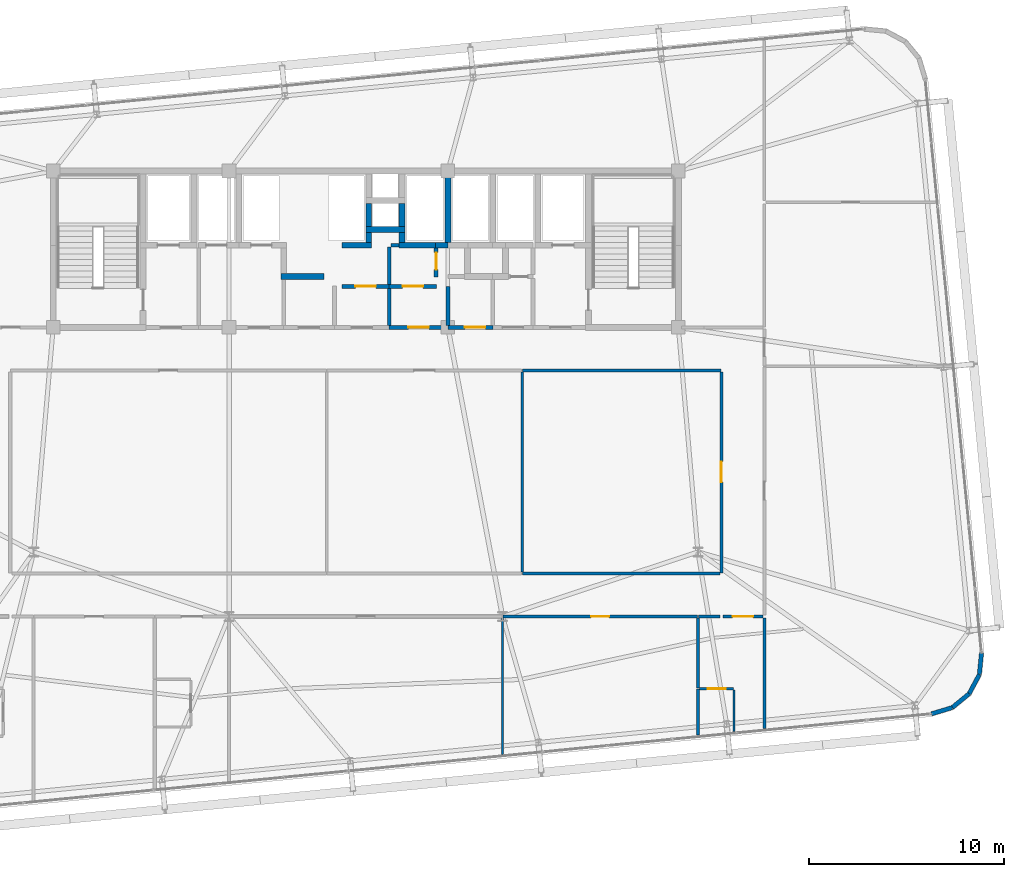
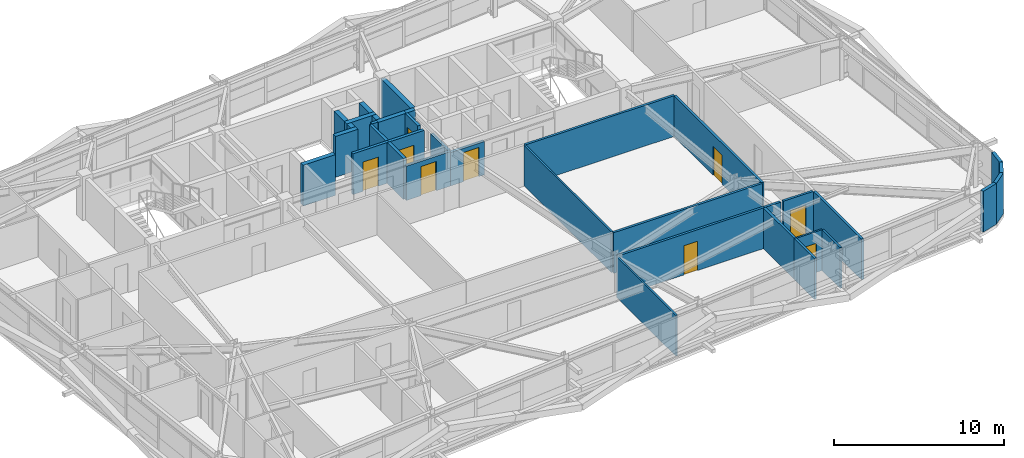
# One storey, part 48 of 53: 36 walls, 9 doors, 9 openings.
"""IFC4 building model written with IfcOpenShell, lengths in metres."""

import ifcopenshell
import ifcopenshell.guid

model = None  # the IFC model being written
_history = None  # IfcOwnerHistory: only IFC2X3 demands one
_inside = {}  # id of a spatial element -> (the spatial element, [elements in it])
_under = {}  # id of a project, library or spatial element -> (it, [spatial elements below it])
_declared = {}  # id of a project -> (the project, [libraries it declares])
_typed = {}  # id of a type object -> (the type object, [elements of that type])
_made_of = {}  # id of a material, layer set ... -> (it, [elements and type objects made of it])


def new_model(schema):
    """Start an empty IFC model of exactly this schema.

    Asked for "IFC4X3", IfcOpenShell would pick the latest addendum, in which some entities
    have other attributes; the version numbers below select the first issue.
    IFC2X3 requires an IfcOwnerHistory on every rooted entity: one is made here for all.
    """
    global model, _history
    if schema == "IFC4X3":
        model = ifcopenshell.file(schema_version=(4, 3, 0, 0))
    else:
        model = ifcopenshell.file(schema=schema)
    _inside.clear()
    _under.clear()
    _declared.clear()
    _typed.clear()
    _made_of.clear()
    _history = None
    if model.schema == "IFC2X3":
        org = make("IfcOrganization", Name="unknown")
        user = make(
            "IfcPersonAndOrganization",
            ThePerson=make("IfcPerson", FamilyName="unknown"),
            TheOrganization=org,
        )
        app = make(
            "IfcApplication",
            ApplicationDeveloper=org,
            Version="unknown",
            ApplicationFullName="unknown",
            ApplicationIdentifier="unknown",
        )
        _history = make(
            "IfcOwnerHistory",
            OwningUser=user,
            OwningApplication=app,
            ChangeAction="ADDED",
            CreationDate=0,
        )
    return model


def make(cls, **values):
    """One entity of the class cls with the attributes given. An attribute that is None is left unset."""
    return model.create_entity(
        cls, **{name: value for name, value in values.items() if value is not None}
    )


def rooted(cls, **values):
    """An entity with a GlobalId (a new one), such as an element, a storey or a relation."""
    return make(cls, GlobalId=ifcopenshell.guid.new(), OwnerHistory=_history, **values)


def si_unit(unit_type, name, prefix=None):
    """IfcSIUnit, for example si_unit("LENGTHUNIT", "METRE", prefix="MILLI")."""
    return make("IfcSIUnit", UnitType=unit_type, Prefix=prefix, Name=name)


def assignment(units):
    """IfcUnitAssignment: the units of a project."""
    return None if units is None else make("IfcUnitAssignment", Units=units)


def point(xyz):
    """IfcCartesianPoint."""
    return None if xyz is None else make("IfcCartesianPoint", Coordinates=xyz)


def direction(xyz):
    """IfcDirection."""
    return None if xyz is None else make("IfcDirection", DirectionRatios=xyz)


def frame(location, z_axis=None, x_axis=None):
    """IfcAxis2Placement3D, a coordinate frame: its origin and axes. An axis left out is left unset."""
    return make(
        "IfcAxis2Placement3D",
        Location=point(location),
        Axis=direction(z_axis),
        RefDirection=direction(x_axis),
    )


def frame_2d(location, x_axis=None):
    """IfcAxis2Placement2D, a coordinate frame in the plane: its origin and x axis."""
    return make(
        "IfcAxis2Placement2D", Location=point(location), RefDirection=direction(x_axis)
    )


def origin():
    """The frame at (0, 0, 0) with its axes left unset."""
    return frame((0.0, 0.0, 0.0))


def place(relative_to, where):
    """IfcLocalPlacement: puts the frame where relative to a parent placement (None: the world)."""
    return make(
        "IfcLocalPlacement", PlacementRelTo=relative_to, RelativePlacement=where
    )


def context(
    kind, dimensions, precision=None, world=None, true_north=None, identifier=None
):
    """IfcGeometricRepresentationContext, for example the 3D "Model" context."""
    return make(
        "IfcGeometricRepresentationContext",
        ContextIdentifier=identifier,
        ContextType=kind,
        CoordinateSpaceDimension=dimensions,
        Precision=precision,
        WorldCoordinateSystem=world,
        TrueNorth=true_north,
    )


def subcontext(parent, identifier, kind, view, scale=None):
    """IfcGeometricRepresentationSubContext, for example "Body" below "Model"."""
    return make(
        "IfcGeometricRepresentationSubContext",
        ContextIdentifier=identifier,
        ContextType=kind,
        ParentContext=parent,
        TargetScale=scale,
        TargetView=view,
    )


def project(units=None, contexts=None):
    """IfcProject with its units and contexts."""
    return rooted(
        "IfcProject",
        Name="project",
        RepresentationContexts=contexts,
        UnitsInContext=assignment(units),
    )


def spatial(cls, under=None, at=None, **own):
    """A site, building, storey or space (cls), placed at a placement, below another one or the project."""
    s = rooted(cls, ObjectPlacement=at, **own)
    if under is not None:
        _under.setdefault(under.id(), (under, []))[1].append(s)
    return s


def profile(cls, at=None, kind="AREA", **sizes):
    """A parametric profile (cls). Its sizes go by their IFC names, for example OverallWidth=200.0."""
    return make(cls, ProfileType=kind, Position=at, **sizes)


def rectangle(**sizes):
    """IfcRectangleProfileDef."""
    return profile("IfcRectangleProfileDef", **sizes)


def extrude(swept, where, along, depth):
    """IfcExtrudedAreaSolid: the profile swept, set in the frame where, extruded along a direction by depth."""
    return make(
        "IfcExtrudedAreaSolid",
        SweptArea=swept,
        Position=where,
        ExtrudedDirection=direction(along),
        Depth=depth,
    )


def shape(context_of_items, identifier, shape_type, items):
    """IfcShapeRepresentation: the items that make up one representation, for example the "Body"."""
    return make(
        "IfcShapeRepresentation",
        ContextOfItems=context_of_items,
        RepresentationIdentifier=identifier,
        RepresentationType=shape_type,
        Items=items,
    )


def source(mapping_origin, context_of_items, identifier, shape_type, items):
    """IfcRepresentationMap: a shape defined once, which mapped items show again and again."""
    return make(
        "IfcRepresentationMap",
        MappingOrigin=mapping_origin,
        MappedRepresentation=shape(context_of_items, identifier, shape_type, items),
    )


def transform(
    local_origin,
    x_axis=None,
    y_axis=None,
    z_axis=None,
    scale=None,
    scale2=None,
    scale3=None,
    uniform=True,
):
    """IfcCartesianTransformationOperator3D, or its non-uniform kind. x_axis, y_axis, z_axis: its Axis1, 2, 3."""
    if uniform:
        return make(
            "IfcCartesianTransformationOperator3D",
            Axis1=direction(x_axis),
            Axis2=direction(y_axis),
            LocalOrigin=point(local_origin),
            Scale=scale,
            Axis3=direction(z_axis),
        )
    return make(
        "IfcCartesianTransformationOperator3DnonUniform",
        Axis1=direction(x_axis),
        Axis2=direction(y_axis),
        LocalOrigin=point(local_origin),
        Scale=scale,
        Axis3=direction(z_axis),
        Scale2=scale2,
        Scale3=scale3,
    )


def mapped(mapping_source, mapping_target):
    """IfcMappedItem: shows the shape of a source again, moved by a transform."""
    return make(
        "IfcMappedItem", MappingSource=mapping_source, MappingTarget=mapping_target
    )


def material(Name=None, Category=None):
    """IfcMaterial."""
    return make("IfcMaterial", Name=Name, Category=Category)


def layer(
    of_material, thickness, ventilated=None, Name=None, Category=None, Priority=None
):
    """IfcMaterialLayer: one layer of a wall or slab, of a material (None: an air gap)."""
    return make(
        "IfcMaterialLayer",
        Material=of_material,
        LayerThickness=thickness,
        IsVentilated=ventilated,
        Name=Name,
        Category=Category,
        Priority=Priority,
    )


def layer_set(layers, Name=None):
    """IfcMaterialLayerSet."""
    return make("IfcMaterialLayerSet", MaterialLayers=layers, LayerSetName=Name)


def made_of(thing, what):
    """Note that an element or type object is made of a material, layer set ...; save() writes the relation."""
    if what is not None:
        _made_of.setdefault(what.id(), (what, []))[1].append(thing)
    return thing


def type_object(cls, material=None, **own):
    """A type object (cls), such as IfcWallType, which elements share."""
    return made_of(rooted(cls, **own), material)


def element(
    cls,
    number,
    at=None,
    inside=None,
    cuts=None,
    type_object=None,
    material=None,
    context=None,
    identifier="Body",
    shape_type=None,
    held_by="IfcProductDefinitionShape",
    body=None,
    shapes=None,
    **own,
):
    """One element of the class cls, such as IfcWall. Its Tag is "e" and its number.

    at: its placement. inside: the storey or other place that contains it. cuts: it is an
    opening in that element (IfcRelVoidsElement). A single representation is given by context,
    identifier, shape_type and body (its items); several are given by shapes. held_by: the class
    of the entity that holds the representations. save() writes the other relations.
    """
    e = rooted(cls, Tag="e%d" % number, ObjectPlacement=at, **own)
    if body is not None:
        shapes = [shape(context, identifier, shape_type, body)]
    if shapes is not None:
        e.Representation = make(held_by, Representations=shapes)
    if inside is not None:
        _inside.setdefault(inside.id(), (inside, []))[1].append(e)
    if cuts is not None:
        rooted(
            "IfcRelVoidsElement", RelatingBuildingElement=cuts, RelatedOpeningElement=e
        )
    if type_object is not None:
        _typed.setdefault(type_object.id(), (type_object, []))[1].append(e)
    return made_of(e, material)


def fill(opening, filler):
    """IfcRelFillsElement: the door or window that sits in an opening."""
    return rooted(
        "IfcRelFillsElement",
        RelatingOpeningElement=opening,
        RelatedBuildingElement=filler,
    )


def aggregate(whole, parts):
    """IfcRelAggregates: a whole, such as a stair, and the parts it consists of."""
    return rooted("IfcRelAggregates", RelatingObject=whole, RelatedObjects=parts)


def save(model, path):
    """Write the relations noted so far, then the file.

    IfcRelAggregates (storeys below a building ...), IfcRelContainedInSpatialStructure (elements
    in a storey), IfcRelDefinesByType, IfcRelAssociatesMaterial and IfcRelDeclares: one each for
    every whole, place, type object, material and project.
    """
    for whole, parts in _under.values():
        aggregate(whole, parts)
    for where, things in _inside.values():
        rooted(
            "IfcRelContainedInSpatialStructure",
            RelatedElements=things,
            RelatingStructure=where,
        )
    for kind, things in _typed.values():
        rooted("IfcRelDefinesByType", RelatedObjects=things, RelatingType=kind)
    for what, things in _made_of.values():
        rooted("IfcRelAssociatesMaterial", RelatedObjects=things, RelatingMaterial=what)
    for by, libraries in _declared.values():
        rooted("IfcRelDeclares", RelatingContext=by, RelatedDefinitions=libraries)
    model.write(path)


model = new_model("IFC4")

# Units and contexts
model_context = context("Model", 3, precision=1e-05, world=origin(), true_north=direction((0.0, 1.0)))
body_context = subcontext(model_context, "Body", "Model", "MODEL_VIEW")
ifc_project = project(units=[si_unit("LENGTHUNIT", "METRE"), si_unit("AREAUNIT", "SQUARE_METRE"), si_unit("VOLUMEUNIT", "CUBIC_METRE"), si_unit("PLANEANGLEUNIT", "RADIAN"), si_unit("MASSUNIT", "GRAM", prefix="KILO")], contexts=[model_context])

# Site, building, storey
site_placement = place(None, origin())
site = spatial("IfcSite", under=ifc_project, at=site_placement, CompositionType="ELEMENT")
building_placement = place(site_placement, origin())
building = spatial("IfcBuilding", under=site, at=building_placement, Name="Taldren Reach Tower", CompositionType="ELEMENT")
storey_placement = place(building_placement, frame((0.0, 0.0, 80.85009765625)))
storey = spatial("IfcBuildingStorey", under=building, at=storey_placement, Name="L24", CompositionType="ELEMENT", Elevation=80.85009765625)

# Walls
ifc_material_1 = material(Name="Pale Champagne Anodised Aluminium Cladding", Category="aluminium")
ifc_layer_1 = layer(ifc_material_1, 0.04, Name="Pale Champagne Anodised Aluminium Cladding", Category="aluminium")
ifc_material_2 = material(Name="Mineral Wool Acoustic Insulation", Category="insulation")
ifc_layer_2 = layer(ifc_material_2, 0.06, Name="Mineral Wool Acoustic Insulation", Category="insulation")
ifc_material_3 = material(Name="Steel Gr 350 (C350L0)", Category="steel")
ifc_layer_3 = layer(ifc_material_3, 0.12, Name="Steel Gr 350 (C350L0)", Category="steel")
ifc_layer_set_1 = layer_set([ifc_layer_1, ifc_layer_2, ifc_layer_3], Name="Pale Champagne Aluminium Cladding and Steel Gr 350 Stud Framing")
wall_type_1 = type_object("IfcWallType", Name="EW-CRN-220", PredefinedType="SOLIDWALL", material=ifc_layer_set_1)
shared_shape_1 = source(origin(), body_context, "Body", "SweptSolid", [
    extrude(rectangle(XDim=1.115966796875, YDim=0.219970703125, at=frame_2d((0.55810546875, 0.0))), origin(), (0.0, 0.0, 1.0), 2.929931640625),
])
for number, where, z_axis, x_axis, name in (
    (1, (65.01708984375, 4.537109375, 0.0), (0.0, 0.0, 1.0), (0.773342870285, 0.633988016432, 0.0), "Rounded-corner pale-metal facade wall L24-SE2"),
    (2, (66.406494140625, 6.228515625, 0.0), (0.0, 0.0, 1.0), (0.09844234778, 0.995142755671, 0.0), "Rounded-corner pale-metal facade wall L24-SE4"),
):
    element("IfcWall", number, at=place(storey_placement, frame(where, z_axis=z_axis, x_axis=x_axis)), inside=storey, type_object=wall_type_1, Name=name, PredefinedType="SOLIDWALL", context=body_context, shape_type="MappedRepresentation", body=[
        mapped(shared_shape_1, transform((0.0, 0.0, 0.0), scale=1.0)),
    ])
shared_shape_2 = source(origin(), body_context, "Body", "SweptSolid", [
    extrude(rectangle(XDim=1.11572265625, YDim=0.219970703125, at=frame_2d((0.557861328125, 0.0))), origin(), (0.0, 0.0, 1.0), 2.929931640625),
])
for number, where, z_axis, x_axis, name in (
    (3, (63.94921875, 4.213623046875, 0.0), (0.0, 0.0, 1.0), (0.957052003726, 0.289916301997, 0.0), "Rounded-corner pale-metal facade wall L24-SE1"),
    (4, (65.880126953125, 5.24462890625, 0.0), (0.0, 0.0, 1.0), (0.471723463201, 0.881746547635, 0.0), "Rounded-corner pale-metal facade wall L24-SE3"),
):
    element("IfcWall", number, at=place(storey_placement, frame(where, z_axis=z_axis, x_axis=x_axis)), inside=storey, type_object=wall_type_1, Name=name, PredefinedType="SOLIDWALL", context=body_context, shape_type="MappedRepresentation", body=[
        mapped(shared_shape_2, transform((0.0, 0.0, 0.0), scale=1.0)),
    ])
ifc_material_4 = material(Name="Concrete S50 (50 MPa)", Category="concrete")
ifc_layer_4 = layer(ifc_material_4, 0.199951171875)
ifc_layer_set_2 = layer_set([ifc_layer_4], Name="Concrete S50 (50 MPa)")
wall_type_2 = type_object("IfcWallType", Name="IW-CORE-200", PredefinedType="SOLIDWALL", material=ifc_layer_set_2)
shared_shape_3 = source(origin(), body_context, "Body", "SweptSolid", [
    extrude(rectangle(XDim=2.0, YDim=0.199951171875, at=frame_2d((1.0, 0.0))), origin(), (0.0, 0.0, 1.0), 2.469970703125),
])
wall_1_placement = place(storey_placement, frame((39.199951171875, 26.10009765625, 0.0), z_axis=(0.0, 0.0, 1.0), x_axis=(0.0, -1.0, 0.0)))
element("IfcWall", 5, at=wall_1_placement, inside=storey, type_object=wall_type_2, Name="Rear Core Shear Wall W-INT-L24-052", PredefinedType="SOLIDWALL", context=body_context, shape_type="MappedRepresentation", body=[
    mapped(shared_shape_3, transform((0.0, 0.0, 0.0), scale=1.0)),
])

# Wall, opening, door
ifc_material_5 = material(Name="Fire-Rated Acoustic Plasterboard Stud Wall", Category="gypsum")
ifc_layer_5 = layer(ifc_material_5, 0.159912109375)
ifc_layer_set_3 = layer_set([ifc_layer_5], Name="Fire-Rated Acoustic Plasterboard Stud Wall")
wall_type_3 = type_object("IfcWallType", Name="IW-FIRE-160", PredefinedType="PARTITIONING", material=ifc_layer_set_3)
shared_shape_4 = source(origin(), body_context, "Body", "SweptSolid", [
    extrude(rectangle(XDim=10.2998046875, YDim=0.159912109375, at=frame_2d((5.14990234375, 0.0))), origin(), (0.0, 0.0, 1.0), 2.929931640625),
])
wall_2_placement = place(storey_placement, frame((53.199951171875, 11.420166015625, 0.0), z_axis=(0.0, 0.0, 1.0), x_axis=(0.0, 1.0, 0.0)))
wall_2 = element("IfcWall", 6, at=wall_2_placement, inside=storey, type_object=wall_type_3, Name="Interior Partition Wall W-INT-L24-063", PredefinedType="PARTITIONING", context=body_context, shape_type="MappedRepresentation", body=[
    mapped(shared_shape_4, transform((0.0, 0.0, 0.0), scale=1.0)),
])
shared_shape_5 = source(origin(), body_context, "Body", "SweptSolid", [
    extrude(rectangle(XDim=1.050048828125, YDim=2.10009765625, at=frame_2d((0.52490234375, 1.050048828125))), frame((0.0, 0.08984375, 0.0), z_axis=(0.0, -1.0, 0.0), x_axis=(1.0, 0.0, 0.0)), (0.0, 0.0, 1.0), 0.179931640625),
])
opening_1_placement = place(wall_2_placement, frame((4.65478515625, 0.0, 0.0)))
opening_1 = element("IfcOpeningElement", 7, at=opening_1_placement, cuts=wall_2, Name="Opening DF-105", PredefinedType="OPENING", context=body_context, shape_type="MappedRepresentation", body=[
    mapped(shared_shape_5, transform((0.0, 0.0, 0.0), scale=1.0)),
])
ifc_material_6 = material(Name="Fire-Rated Care and Stair Exit Door")
door_type_1 = type_object("IfcDoorType", Name="ID-FIRE-105", OperationType="NOTDEFINED", PredefinedType="DOOR", material=ifc_material_6)
shared_shape_6 = source(origin(), body_context, "Body", "SweptSolid", [
    extrude(rectangle(XDim=1.050048828125, YDim=2.10009765625, at=frame_2d((0.52490234375, 1.050048828125))), frame((0.0, 0.02490234375, 0.0), z_axis=(0.0, -1.0, 0.0), x_axis=(1.0, 0.0, 0.0)), (0.0, 0.0, 1.0), 0.050048828125),
])
door_1_placement = place(opening_1_placement, origin())
door_1 = element("IfcDoor", 8, at=door_1_placement, inside=storey, type_object=door_type_1, Name="Interior Door DR-L24-016", OperationType="SINGLE_SWING_LEFT", OverallHeight=2.10009765625, OverallWidth=1.050048828125, PredefinedType="DOOR", context=body_context, shape_type="MappedRepresentation", body=[
    mapped(shared_shape_6, transform((0.0, 0.0, 0.0), scale=1.0)),
])
fill(opening_1, door_1)

shared_shape_7 = source(origin(), body_context, "Body", "SweptSolid", [
    extrude(rectangle(XDim=2.0400390625, YDim=0.159912109375, at=frame_2d((1.02001953125, 0.0))), origin(), (0.0, 0.0, 1.0), 2.929931640625),
])
wall_3_placement = place(storey_placement, frame((55.320068359375, 9.199951171875, 0.0), z_axis=(0.0, 0.0, 1.0), x_axis=(-1.0, 0.0, 0.0)))
wall_3 = element("IfcWall", 9, at=wall_3_placement, inside=storey, type_object=wall_type_3, Name="Interior Partition Wall W-INT-L24-066", PredefinedType="PARTITIONING", context=body_context, shape_type="MappedRepresentation", body=[
    mapped(shared_shape_7, transform((0.0, 0.0, 0.0), scale=1.0)),
])
opening_2_placement = place(wall_3_placement, frame((0.4951171875, 0.0, 0.0)))
opening_2 = element("IfcOpeningElement", 10, at=opening_2_placement, cuts=wall_3, Name="Opening DF-105", PredefinedType="OPENING", context=body_context, shape_type="MappedRepresentation", body=[
    mapped(shared_shape_5, transform((0.0, 0.0, 0.0), scale=1.0)),
])
door_2_placement = place(opening_2_placement, origin())
door_2 = element("IfcDoor", 11, at=door_2_placement, inside=storey, type_object=door_type_1, Name="Interior Door DR-L24-018", OperationType="SINGLE_SWING_LEFT", OverallHeight=2.10009765625, OverallWidth=1.050048828125, PredefinedType="DOOR", context=body_context, shape_type="MappedRepresentation", body=[
    mapped(shared_shape_6, transform((0.0, 0.0, 0.0), scale=1.0)),
])
fill(opening_2, door_2)

# Wall
shared_shape_8 = source(origin(), body_context, "Body", "SweptSolid", [
    extrude(rectangle(XDim=1.099853515625, YDim=0.159912109375, at=frame_2d((0.5498046875, 0.0))), origin(), (0.0, 0.0, 1.0), 2.929931640625),
])
wall_4_placement = place(storey_placement, frame((53.1201171875, 9.199951171875, 0.0), z_axis=(0.0, 0.0, 1.0), x_axis=(-1.0, 0.0, 0.0)))
element("IfcWall", 12, at=wall_4_placement, inside=storey, type_object=wall_type_3, Name="Interior Partition Wall W-INT-L24-085", PredefinedType="PARTITIONING", context=body_context, shape_type="MappedRepresentation", body=[
    mapped(shared_shape_8, transform((0.0, 0.0, 0.0), scale=1.0)),
])

# Wall, opening, door
ifc_material_7 = material(Name="Insulated Residential Stud Partition", Category="gypsum")
ifc_layer_6 = layer(ifc_material_7, 0.1201171875)
ifc_layer_set_4 = layer_set([ifc_layer_6], Name="Insulated Residential Stud Partition")
wall_type_4 = type_object("IfcWallType", Name="IW-PART-120", PredefinedType="PARTITIONING", material=ifc_layer_set_4)
shared_shape_9 = source(origin(), body_context, "Body", "SweptSolid", [
    extrude(rectangle(XDim=1.749755859375, YDim=0.1201171875, at=frame_2d((0.875, 0.0))), origin(), (0.0, 0.0, 1.0), 2.929931640625),
])
wall_5_placement = place(storey_placement, frame((53.829833984375, 5.51025390625, 0.0), z_axis=(0.0, 0.0, 1.0), x_axis=(-1.0, 0.0, 0.0)))
wall_5 = element("IfcWall", 13, at=wall_5_placement, inside=storey, type_object=wall_type_4, Name="Interior Partition Wall W-INT-L24-106", PredefinedType="PARTITIONING", context=body_context, shape_type="MappedRepresentation", body=[
    mapped(shared_shape_9, transform((0.0, 0.0, 0.0), scale=1.0)),
])
shared_shape_10 = source(origin(), body_context, "Body", "SweptSolid", [
    extrude(rectangle(XDim=0.919921875, YDim=2.10009765625, at=frame_2d((0.4599609375, 1.050048828125))), frame((0.0, 0.070068359375, 0.0), z_axis=(0.0, -1.0, 0.0), x_axis=(1.0, 0.0, 0.0)), (0.0, 0.0, 1.0), 0.14013671875),
])
opening_3_placement = place(wall_5_placement, frame((0.414794921875, 0.0, 0.0)))
opening_3 = element("IfcOpeningElement", 14, at=opening_3_placement, cuts=wall_5, Name="Opening DI-092", PredefinedType="OPENING", context=body_context, shape_type="MappedRepresentation", body=[
    mapped(shared_shape_10, transform((0.0, 0.0, 0.0), scale=1.0)),
])
ifc_material_8 = material(Name="Solid-Core Timber Suite Door", Category="wood")
door_type_2 = type_object("IfcDoorType", Name="ID-INT-092", OperationType="NOTDEFINED", PredefinedType="DOOR", material=ifc_material_8)
shared_shape_11 = source(origin(), body_context, "Body", "SweptSolid", [
    extrude(rectangle(XDim=0.919921875, YDim=2.10009765625, at=frame_2d((0.4599609375, 1.050048828125))), frame((0.0, 0.02490234375, 0.0), z_axis=(0.0, -1.0, 0.0), x_axis=(1.0, 0.0, 0.0)), (0.0, 0.0, 1.0), 0.050048828125),
])
door_3_placement = place(opening_3_placement, origin())
door_3 = element("IfcDoor", 15, at=door_3_placement, inside=storey, type_object=door_type_2, Name="Interior Door DR-L24-031", OperationType="SINGLE_SWING_RIGHT", OverallHeight=2.10009765625, OverallWidth=0.919921875, PredefinedType="DOOR", context=body_context, shape_type="MappedRepresentation", body=[
    mapped(shared_shape_11, transform((0.0, 0.0, 0.0), scale=1.0)),
])
fill(opening_3, door_3)

shared_shape_12 = source(origin(), body_context, "Body", "SweptSolid", [
    extrude(rectangle(XDim=2.419921875, YDim=0.199951171875, at=frame_2d((1.2099609375, 0.0))), origin(), (0.0, 0.0, 1.0), 2.929931640625),
])
wall_6_placement = place(storey_placement, frame((33.780029296875, 26.10009765625, 0.0), z_axis=(0.0, 0.0, 1.0), x_axis=(1.0, 0.0, 0.0)))
wall_6 = element("IfcWall", 16, at=wall_6_placement, inside=storey, type_object=wall_type_2, Name="Rear Core Shear Wall W-INT-L24-046", PredefinedType="SOLIDWALL", context=body_context, shape_type="MappedRepresentation", body=[
    mapped(shared_shape_12, transform((0.0, 0.0, 0.0), scale=1.0)),
])
shared_shape_13 = source(origin(), body_context, "Body", "SweptSolid", [
    extrude(rectangle(XDim=1.050048828125, YDim=2.10009765625, at=frame_2d((0.52490234375, 1.050048828125))), frame((0.0, 0.10986328125, 0.0), z_axis=(0.0, -1.0, 0.0), x_axis=(1.0, 0.0, 0.0)), (0.0, 0.0, 1.0), 0.219970703125),
])
opening_4_placement = place(wall_6_placement, frame((0.68505859375, 0.0, 0.0)))
opening_4 = element("IfcOpeningElement", 17, at=opening_4_placement, cuts=wall_6, Name="Opening DF-105", PredefinedType="OPENING", context=body_context, shape_type="MappedRepresentation", body=[
    mapped(shared_shape_13, transform((0.0, 0.0, 0.0), scale=1.0)),
])
door_4_placement = place(opening_4_placement, origin())
door_4 = element("IfcDoor", 18, at=door_4_placement, inside=storey, type_object=door_type_1, Name="Interior Door DR-L24-007", OperationType="SINGLE_SWING_RIGHT", OverallHeight=2.10009765625, OverallWidth=1.050048828125, PredefinedType="DOOR", context=body_context, shape_type="MappedRepresentation", body=[
    mapped(shared_shape_6, transform((0.0, 0.0, 0.0), scale=1.0)),
])
fill(opening_4, door_4)

# Walls
shared_shape_14 = source(origin(), body_context, "Body", "SweptSolid", [
    extrude(rectangle(XDim=1.89990234375, YDim=0.199951171875, at=frame_2d((0.949951171875, 0.0))), origin(), (0.0, 0.0, 1.0), 2.929931640625),
])
wall_7_placement = place(storey_placement, frame((36.199951171875, 26.0, 0.0), z_axis=(0.0, 0.0, 1.0), x_axis=(0.0, -1.0, 0.0)))
element("IfcWall", 19, at=wall_7_placement, inside=storey, type_object=wall_type_2, Name="Rear Core Shear Wall W-INT-L24-047", PredefinedType="SOLIDWALL", context=body_context, shape_type="MappedRepresentation", body=[
    mapped(shared_shape_14, transform((0.0, 0.0, 0.0), scale=1.0)),
])
shared_shape_15 = source(origin(), body_context, "Body", "SweptSolid", [
    extrude(rectangle(XDim=1.900146484375, YDim=0.199951171875, at=frame_2d((0.9501953125, 0.0))), origin(), (0.0, 0.0, 1.0), 2.929931640625),
])
wall_8_placement = place(storey_placement, frame((36.199951171875, 28.10009765625, 0.0), z_axis=(0.0, 0.0, 1.0), x_axis=(0.0, -1.0, 0.0)))
element("IfcWall", 20, at=wall_8_placement, inside=storey, type_object=wall_type_2, Name="Rear Core Shear Wall W-INT-L24-049", PredefinedType="SOLIDWALL", context=body_context, shape_type="MappedRepresentation", body=[
    mapped(shared_shape_15, transform((0.0, 0.0, 0.0), scale=1.0)),
])

# Wall, opening, door
shared_shape_16 = source(origin(), body_context, "Body", "SweptSolid", [
    extrude(rectangle(XDim=2.420166015625, YDim=0.199951171875, at=frame_2d((1.2099609375, 0.0))), origin(), (0.0, 0.0, 1.0), 2.929931640625),
])
wall_9_placement = place(storey_placement, frame((36.199951171875, 26.10009765625, 0.0), z_axis=(0.0, 0.0, 1.0), x_axis=(1.0, 0.0, 0.0)))
wall_9 = element("IfcWall", 21, at=wall_9_placement, inside=storey, type_object=wall_type_2, Name="Rear Core Shear Wall W-INT-L24-051", PredefinedType="SOLIDWALL", context=body_context, shape_type="MappedRepresentation", body=[
    mapped(shared_shape_16, transform((0.0, 0.0, 0.0), scale=1.0)),
])
opening_5_placement = place(wall_9_placement, frame((0.68505859375, 0.0, 0.0)))
opening_5 = element("IfcOpeningElement", 22, at=opening_5_placement, cuts=wall_9, Name="Opening DF-105", PredefinedType="OPENING", context=body_context, shape_type="MappedRepresentation", body=[
    mapped(shared_shape_13, transform((0.0, 0.0, 0.0), scale=1.0)),
])
door_5_placement = place(opening_5_placement, origin())
door_5 = element("IfcDoor", 23, at=door_5_placement, inside=storey, type_object=door_type_1, Name="Interior Door DR-L24-009", OperationType="SINGLE_SWING_RIGHT", OverallHeight=2.10009765625, OverallWidth=1.050048828125, PredefinedType="DOOR", context=body_context, shape_type="MappedRepresentation", body=[
    mapped(shared_shape_6, transform((0.0, 0.0, 0.0), scale=1.0)),
])
fill(opening_5, door_5)

shared_shape_17 = source(origin(), body_context, "Body", "SweptSolid", [
    extrude(rectangle(XDim=3.0, YDim=0.199951171875, at=frame_2d((1.5, 0.0))), origin(), (0.0, 0.0, 1.0), 2.469970703125),
])
wall_10_placement = place(storey_placement, frame((39.199951171875, 24.0, 0.0), z_axis=(0.0, 0.0, 1.0), x_axis=(-1.0, 0.0, 0.0)))
wall_10 = element("IfcWall", 24, at=wall_10_placement, inside=storey, type_object=wall_type_2, Name="Rear Core Shear Wall W-INT-L24-053", PredefinedType="SOLIDWALL", context=body_context, shape_type="MappedRepresentation", body=[
    mapped(shared_shape_17, transform((0.0, 0.0, 0.0), scale=1.0)),
])
opening_6_placement = place(wall_10_placement, frame((0.97509765625, 0.0, 0.0)))
opening_6 = element("IfcOpeningElement", 25, at=opening_6_placement, cuts=wall_10, Name="Opening DF-105", PredefinedType="OPENING", context=body_context, shape_type="MappedRepresentation", body=[
    mapped(shared_shape_13, transform((0.0, 0.0, 0.0), scale=1.0)),
])
door_6_placement = place(opening_6_placement, frame((1.050048828125, 0.0, 0.0), z_axis=(0.0, 0.0, 1.0), x_axis=(-1.0, 0.0, 0.0)))
door_6 = element("IfcDoor", 26, at=door_6_placement, inside=storey, type_object=door_type_1, Name="Interior Door DR-L24-010", OperationType="SINGLE_SWING_RIGHT", OverallHeight=2.10009765625, OverallWidth=1.050048828125, PredefinedType="DOOR", context=body_context, shape_type="MappedRepresentation", body=[
    mapped(shared_shape_6, transform((0.0, 0.0, 0.0), scale=1.0)),
])
fill(opening_6, door_6)

shared_shape_18 = source(origin(), body_context, "Body", "SweptSolid", [
    extrude(rectangle(XDim=2.300048828125, YDim=0.199951171875, at=frame_2d((1.14990234375, 0.0))), origin(), (0.0, 0.0, 1.0), 2.39697265625),
])
wall_11_placement = place(storey_placement, frame((41.5, 24.0, 0.0), z_axis=(0.0, 0.0, 1.0), x_axis=(-1.0, 0.0, 0.0)))
wall_11 = element("IfcWall", 27, at=wall_11_placement, inside=storey, type_object=wall_type_2, Name="Rear Core Shear Wall W-INT-L24-057", PredefinedType="SOLIDWALL", context=body_context, shape_type="MappedRepresentation", body=[
    mapped(shared_shape_18, transform((0.0, 0.0, 0.0), scale=1.0)),
])
opening_7_placement = place(wall_11_placement, frame((0.375, 0.0, 0.0)))
opening_7 = element("IfcOpeningElement", 28, at=opening_7_placement, cuts=wall_11, Name="Opening DF-105", PredefinedType="OPENING", context=body_context, shape_type="MappedRepresentation", body=[
    mapped(shared_shape_13, transform((0.0, 0.0, 0.0), scale=1.0)),
])
door_7_placement = place(opening_7_placement, frame((1.050048828125, 0.0, 0.0), z_axis=(0.0, 0.0, 1.0), x_axis=(-1.0, 0.0, 0.0)))
door_7 = element("IfcDoor", 29, at=door_7_placement, inside=storey, type_object=door_type_1, Name="Interior Door DR-L24-011", OperationType="SINGLE_SWING_RIGHT", OverallHeight=2.10009765625, OverallWidth=1.050048828125, PredefinedType="DOOR", context=body_context, shape_type="MappedRepresentation", body=[
    mapped(shared_shape_6, transform((0.0, 0.0, 0.0), scale=1.0)),
])
fill(opening_7, door_7)

shared_shape_19 = source(origin(), body_context, "Body", "SweptSolid", [
    extrude(rectangle(XDim=9.95947265625, YDim=0.159912109375, at=frame_2d((4.979736328125, 0.0))), origin(), (0.0, 0.0, 1.0), 2.929931640625),
])
wall_12_placement = place(storey_placement, frame((51.979736328125, 9.199951171875, 0.0), z_axis=(0.0, 0.0, 1.0), x_axis=(-1.0, 0.0, 0.0)))
wall_12 = element("IfcWall", 30, at=wall_12_placement, inside=storey, type_object=wall_type_3, Name="Interior Partition Wall W-INT-L24-084", PredefinedType="PARTITIONING", context=body_context, shape_type="MappedRepresentation", body=[
    mapped(shared_shape_19, transform((0.0, 0.0, 0.0), scale=1.0)),
])
shared_shape_20 = source(origin(), body_context, "Body", "SweptSolid", [
    extrude(rectangle(XDim=0.919921875, YDim=2.10009765625, at=frame_2d((0.4599609375, 1.050048828125))), frame((0.0, 0.08984375, 0.0), z_axis=(0.0, -1.0, 0.0), x_axis=(1.0, 0.0, 0.0)), (0.0, 0.0, 1.0), 0.179931640625),
])
opening_8_placement = place(wall_12_placement, frame((4.519775390625, 0.0, 0.0)))
opening_8 = element("IfcOpeningElement", 31, at=opening_8_placement, cuts=wall_12, Name="Opening DI-092", PredefinedType="OPENING", context=body_context, shape_type="MappedRepresentation", body=[
    mapped(shared_shape_20, transform((0.0, 0.0, 0.0), scale=1.0)),
])
door_8_placement = place(opening_8_placement, origin())
door_8 = element("IfcDoor", 32, at=door_8_placement, inside=storey, type_object=door_type_2, Name="Interior Door DR-L24-028", OperationType="SINGLE_SWING_LEFT", OverallHeight=2.10009765625, OverallWidth=0.919921875, PredefinedType="DOOR", context=body_context, shape_type="MappedRepresentation", body=[
    mapped(shared_shape_11, transform((0.0, 0.0, 0.0), scale=1.0)),
])
fill(opening_8, door_8)

# Walls
shared_shape_21 = source(origin(), body_context, "Body", "SweptSolid", [
    extrude(rectangle(XDim=10.239990234375, YDim=0.1201171875, at=frame_2d((5.1201171875, 0.0))), origin(), (0.0, 0.0, 1.0), 2.929931640625),
])
wall_13_placement = place(storey_placement, frame((43.0, 21.719970703125, 0.0), z_axis=(0.0, 0.0, 1.0), x_axis=(0.0, -1.0, 0.0)))
element("IfcWall", 33, at=wall_13_placement, inside=storey, type_object=wall_type_4, Name="Interior Partition Wall W-INT-L24-087", PredefinedType="PARTITIONING", context=body_context, shape_type="MappedRepresentation", body=[
    mapped(shared_shape_21, transform((0.0, 0.0, 0.0), scale=1.0)),
])
shared_shape_22 = source(origin(), body_context, "Body", "SweptSolid", [
    extrude(rectangle(XDim=10.159423828125, YDim=0.159912109375, at=frame_2d((5.07958984375, 0.0))), origin(), (0.0, 0.0, 1.0), 2.929931640625),
])
wall_14_placement = place(storey_placement, frame((53.1796875, 21.800048828125, 0.0), z_axis=(0.0, 0.0, 1.0), x_axis=(-1.0, 0.0, 0.0)))
element("IfcWall", 34, at=wall_14_placement, inside=storey, type_object=wall_type_3, Name="Interior Partition Wall W-INT-L24-064", PredefinedType="PARTITIONING", context=body_context, shape_type="MappedRepresentation", body=[
    mapped(shared_shape_22, transform((0.0, 0.0, 0.0), scale=1.0)),
])
shared_shape_23 = source(origin(), body_context, "Body", "SweptSolid", [
    extrude(rectangle(XDim=10.099853515625, YDim=0.159912109375, at=frame_2d((5.0498046875, 0.0))), origin(), (0.0, 0.0, 1.0), 2.929931640625),
])
wall_15_placement = place(storey_placement, frame((43.020263671875, 11.39990234375, 0.0), z_axis=(0.0, 0.0, 1.0), x_axis=(1.0, 0.0, 0.0)))
element("IfcWall", 35, at=wall_15_placement, inside=storey, type_object=wall_type_3, Name="Interior Partition Wall W-INT-L24-079", PredefinedType="PARTITIONING", context=body_context, shape_type="MappedRepresentation", body=[
    mapped(shared_shape_23, transform((0.0, 0.0, 0.0), scale=1.0)),
])
ifc_material_9 = material(Name="Concrete S65 (65 MPa)", Category="concrete")
ifc_layer_7 = layer(ifc_material_9, 0.300048828125)
ifc_layer_set_5 = layer_set([ifc_layer_7], Name="Concrete S65 (65 MPa)")
wall_type_5 = type_object("IfcWallType", Name="IW-CORE-300", PredefinedType="SHEAR", material=ifc_layer_set_5)
shared_shape_24 = source(origin(), body_context, "Body", "SweptSolid", [
    extrude(rectangle(XDim=3.5, YDim=0.300048828125, at=frame_2d((1.75, 0.0))), origin(), (0.0, 0.0, 1.0), 2.929931640625),
])
wall_16_placement = place(storey_placement, frame((39.199951171875, 28.35009765625, 0.0), z_axis=(0.0, 0.0, 1.0), x_axis=(0.0, 1.0, 0.0)))
element("IfcWall", 36, at=wall_16_placement, inside=storey, type_object=wall_type_5, Name="Rear Core Shear Wall W-INT-L24-037", PredefinedType="SHEAR", context=body_context, shape_type="MappedRepresentation", body=[
    mapped(shared_shape_24, transform((0.0, 0.0, 0.0), scale=1.0)),
])
shared_shape_25 = source(origin(), body_context, "Body", "SweptSolid", [
    extrude(rectangle(XDim=2.0, YDim=0.300048828125, at=frame_2d((1.0, 0.0))), origin(), (0.0, 0.0, 1.0), 2.929931640625),
])
wall_17_placement = place(storey_placement, frame((35.0, 29.0, 0.0), z_axis=(0.0, 0.0, 1.0), x_axis=(1.0, 0.0, 0.0)))
element("IfcWall", 37, at=wall_17_placement, inside=storey, type_object=wall_type_5, Name="Rear Core Shear Wall W-INT-L24-021", PredefinedType="SHEAR", context=body_context, shape_type="MappedRepresentation", body=[
    mapped(shared_shape_25, transform((0.0, 0.0, 0.0), scale=1.0)),
])
shared_shape_26 = source(origin(), body_context, "Body", "SweptSolid", [
    extrude(rectangle(XDim=1.2001953125, YDim=0.300048828125, at=frame_2d((0.60009765625, 0.0))), origin(), (0.0, 0.0, 1.0), 2.929931640625),
])
for number, where, z_axis, x_axis, name in (
    (38, (35.14990234375, 30.35009765625, 0.0), (0.0, 0.0, 1.0), (0.0, -1.0, 0.0), "Rear Core Shear Wall W-INT-L24-019"),
    (39, (36.85009765625, 29.14990234375, 0.0), (0.0, 0.0, 1.0), (0.0, 1.0, 0.0), "Rear Core Shear Wall W-INT-L24-020"),
):
    element("IfcWall", number, at=place(storey_placement, frame(where, z_axis=z_axis, x_axis=x_axis)), inside=storey, type_object=wall_type_5, Name=name, PredefinedType="SHEAR", context=body_context, shape_type="MappedRepresentation", body=[
        mapped(shared_shape_26, transform((0.0, 0.0, 0.0), scale=1.0)),
    ])
shared_shape_27 = source(origin(), body_context, "Body", "SweptSolid", [
    extrude(rectangle(XDim=2.2001953125, YDim=0.300048828125, at=frame_2d((1.10009765625, 0.0))), origin(), (0.0, 0.0, 1.0), 2.929931640625),
])
wall_18_placement = place(storey_placement, frame((30.64990234375, 26.60009765625, 0.0), z_axis=(0.0, 0.0, 1.0), x_axis=(1.0, 0.0, 0.0)))
element("IfcWall", 40, at=wall_18_placement, inside=storey, type_object=wall_type_5, Name="Rear Core Shear Wall W-INT-L24-023", PredefinedType="SHEAR", context=body_context, shape_type="MappedRepresentation", body=[
    mapped(shared_shape_27, transform((0.0, 0.0, 0.0), scale=1.0)),
])
shared_shape_28 = source(origin(), body_context, "Body", "SweptSolid", [
    extrude(rectangle(XDim=1.52001953125, YDim=0.300048828125, at=frame_2d((0.760009765625, 0.0))), origin(), (0.0, 0.0, 1.0), 2.929931640625),
])
wall_19_placement = place(storey_placement, frame((33.780029296875, 28.199951171875, 0.0), z_axis=(0.0, 0.0, 1.0), x_axis=(1.0, 0.0, 0.0)))
element("IfcWall", 41, at=wall_19_placement, inside=storey, type_object=wall_type_5, Name="Rear Core Shear Wall W-INT-L24-035", PredefinedType="SHEAR", context=body_context, shape_type="MappedRepresentation", body=[
    mapped(shared_shape_28, transform((0.0, 0.0, 0.0), scale=1.0)),
])
shared_shape_29 = source(origin(), body_context, "Body", "SweptSolid", [
    extrude(rectangle(XDim=0.5, YDim=0.300048828125, at=frame_2d((0.25, 0.0))), origin(), (0.0, 0.0, 1.0), 2.929931640625),
])
for number, where, z_axis, x_axis, name in (
    (42, (35.14990234375, 28.35009765625, 0.0), (0.0, 0.0, 1.0), (0.0, 1.0, 0.0), "Rear Core Shear Wall W-INT-L24-036"),
    (43, (36.85009765625, 28.85009765625, 0.0), (0.0, 0.0, 1.0), (0.0, -1.0, 0.0), "Rear Core Shear Wall W-INT-L24-038"),
):
    element("IfcWall", number, at=place(storey_placement, frame(where, z_axis=z_axis, x_axis=x_axis)), inside=storey, type_object=wall_type_5, Name=name, PredefinedType="SHEAR", context=body_context, shape_type="MappedRepresentation", body=[
        mapped(shared_shape_29, transform((0.0, 0.0, 0.0), scale=1.0)),
    ])
shared_shape_30 = source(origin(), body_context, "Body", "SweptSolid", [
    extrude(rectangle(XDim=1.920166015625, YDim=0.300048828125, at=frame_2d((0.9599609375, 0.0))), origin(), (0.0, 0.0, 1.0), 2.929931640625),
])
wall_20_placement = place(storey_placement, frame((36.699951171875, 28.199951171875, 0.0), z_axis=(0.0, 0.0, 1.0), x_axis=(1.0, 0.0, 0.0)))
element("IfcWall", 44, at=wall_20_placement, inside=storey, type_object=wall_type_5, Name="Rear Core Shear Wall W-INT-L24-039", PredefinedType="SHEAR", context=body_context, shape_type="MappedRepresentation", body=[
    mapped(shared_shape_30, transform((0.0, 0.0, 0.0), scale=1.0)),
])
shared_shape_31 = source(origin(), body_context, "Body", "SweptSolid", [
    extrude(rectangle(XDim=0.619873046875, YDim=0.300048828125, at=frame_2d((0.31005859375, 0.0))), origin(), (0.0, 0.0, 1.0), 2.929931640625),
])
wall_21_placement = place(storey_placement, frame((38.580078125, 28.199951171875, 0.0), z_axis=(0.0, 0.0, 1.0), x_axis=(1.0, 0.0, 0.0)))
element("IfcWall", 45, at=wall_21_placement, inside=storey, type_object=wall_type_5, Name="Rear Core Shear Wall W-INT-L24-040", PredefinedType="SHEAR", context=body_context, shape_type="MappedRepresentation", body=[
    mapped(shared_shape_31, transform((0.0, 0.0, 0.0), scale=1.0)),
])
shared_shape_32 = source(origin(), body_context, "Body", "SweptSolid", [
    extrude(rectangle(XDim=0.39990234375, YDim=0.199951171875, at=frame_2d((0.199951171875, 0.0))), origin(), (0.0, 0.0, 1.0), 2.929931640625),
])
wall_22_placement = place(storey_placement, frame((36.699951171875, 28.199951171875, 0.0), z_axis=(0.0, 0.0, 1.0), x_axis=(-1.0, 0.0, 0.0)))
element("IfcWall", 46, at=wall_22_placement, inside=storey, type_object=wall_type_2, Name="Rear Core Shear Wall W-INT-L24-050", PredefinedType="SOLIDWALL", context=body_context, shape_type="MappedRepresentation", body=[
    mapped(shared_shape_32, transform((0.0, 0.0, 0.0), scale=1.0)),
])

# Wall, opening, door
shared_shape_33 = source(origin(), body_context, "Body", "SweptSolid", [
    extrude(rectangle(XDim=1.469970703125, YDim=0.199951171875, at=frame_2d((0.73486328125, 0.0))), origin(), (0.0, 0.0, 1.0), 2.929931640625),
])
wall_23_placement = place(storey_placement, frame((38.60009765625, 28.050048828125, 0.0), z_axis=(0.0, 0.0, 1.0), x_axis=(0.0, -1.0, 0.0)))
wall_23 = element("IfcWall", 47, at=wall_23_placement, inside=storey, type_object=wall_type_2, Name="Rear Core Shear Wall W-INT-L24-054", PredefinedType="SOLIDWALL", context=body_context, shape_type="MappedRepresentation", body=[
    mapped(shared_shape_33, transform((0.0, 0.0, 0.0), scale=1.0)),
])
shared_shape_34 = source(origin(), body_context, "Body", "SweptSolid", [
    extrude(rectangle(XDim=0.860107421875, YDim=2.10009765625, at=frame_2d((0.43017578125, 1.050048828125))), frame((0.0, 0.10986328125, 0.0), z_axis=(0.0, -1.0, 0.0), x_axis=(1.0, 0.0, 0.0)), (0.0, 0.0, 1.0), 0.219970703125),
])
opening_9_placement = place(wall_23_placement, frame((0.22998046875, 0.0, 0.0)))
opening_9 = element("IfcOpeningElement", 48, at=opening_9_placement, cuts=wall_23, Name="Opening DI-086", PredefinedType="OPENING", context=body_context, shape_type="MappedRepresentation", body=[
    mapped(shared_shape_34, transform((0.0, 0.0, 0.0), scale=1.0)),
])
ifc_material_10 = material(Name="Timber Bathroom Door", Category="wood")
door_type_3 = type_object("IfcDoorType", Name="ID-INT-086", OperationType="NOTDEFINED", PredefinedType="DOOR", material=ifc_material_10)
shared_shape_35 = source(origin(), body_context, "Body", "SweptSolid", [
    extrude(rectangle(XDim=0.860107421875, YDim=2.10009765625, at=frame_2d((0.43017578125, 1.050048828125))), frame((0.0, 0.02490234375, 0.0), z_axis=(0.0, -1.0, 0.0), x_axis=(1.0, 0.0, 0.0)), (0.0, 0.0, 1.0), 0.050048828125),
])
door_9_placement = place(opening_9_placement, origin())
door_9 = element("IfcDoor", 49, at=door_9_placement, inside=storey, type_object=door_type_3, Name="Interior Door DR-L24-034", OperationType="SINGLE_SWING_LEFT", OverallHeight=2.10009765625, OverallWidth=0.860107421875, PredefinedType="DOOR", context=body_context, shape_type="MappedRepresentation", body=[
    mapped(shared_shape_35, transform((0.0, 0.0, 0.0), scale=1.0)),
])
fill(opening_9, door_9)

# Walls
shared_shape_36 = source(origin(), body_context, "Body", "SweptSolid", [
    extrude(rectangle(XDim=6.97607421875, YDim=0.1201171875, at=frame_2d((3.488037109375, 0.0))), origin(), (0.0, 0.0, 1.0), 2.929931640625),
])
wall_24_placement = place(storey_placement, frame((42.0, 9.1201171875, 0.0), z_axis=(0.0, 0.0, 1.0), x_axis=(0.0, -1.0, 0.0)))
element("IfcWall", 50, at=wall_24_placement, inside=storey, type_object=wall_type_4, Name="Interior Partition Wall W-INT-L24-102", PredefinedType="PARTITIONING", context=body_context, shape_type="MappedRepresentation", body=[
    mapped(shared_shape_36, transform((0.0, 0.0, 0.0), scale=1.0)),
])
shared_shape_37 = source(origin(), body_context, "Body", "SweptSolid", [
    extrude(rectangle(XDim=2.12841796875, YDim=0.1201171875, at=frame_2d((1.064208984375, 0.0))), origin(), (0.0, 0.0, 1.0), 2.929931640625),
])
wall_25_placement = place(storey_placement, frame((53.85009765625, 3.32177734375, 0.0), z_axis=(0.0, 0.0, 1.0), x_axis=(0.0, 1.0, 0.0)))
element("IfcWall", 51, at=wall_25_placement, inside=storey, type_object=wall_type_4, Name="Interior Partition Wall W-INT-L24-105", PredefinedType="PARTITIONING", context=body_context, shape_type="MappedRepresentation", body=[
    mapped(shared_shape_37, transform((0.0, 0.0, 0.0), scale=1.0)),
])
shared_shape_38 = source(origin(), body_context, "Body", "SweptSolid", [
    extrude(rectangle(XDim=5.657958984375, YDim=0.159912109375, at=frame_2d((2.8291015625, 0.0))), origin(), (0.0, 0.0, 1.0), 2.929931640625),
])
wall_26_placement = place(storey_placement, frame((55.39990234375, 9.117919921875, 0.0), z_axis=(0.0, 0.0, 1.0), x_axis=(0.0, -1.0, 0.0)))
element("IfcWall", 52, at=wall_26_placement, inside=storey, type_object=wall_type_3, Name="Interior Partition Wall W-INT-L24-107", PredefinedType="PARTITIONING", context=body_context, shape_type="MappedRepresentation", body=[
    mapped(shared_shape_38, transform((0.0, 0.0, 0.0), scale=1.0)),
])
shared_shape_39 = source(origin(), body_context, "Body", "SweptSolid", [
    extrude(rectangle(XDim=3.589599609375, YDim=0.159912109375, at=frame_2d((1.794921875, 0.0))), origin(), (0.0, 0.0, 1.0), 2.929931640625),
])
wall_27_placement = place(storey_placement, frame((52.0, 9.1201171875, 0.0), z_axis=(0.0, 0.0, 1.0), x_axis=(0.0, -1.0, 0.0)))
element("IfcWall", 53, at=wall_27_placement, inside=storey, type_object=wall_type_3, Name="Interior Partition Wall W-INT-L24-103", PredefinedType="PARTITIONING", context=body_context, shape_type="MappedRepresentation", body=[
    mapped(shared_shape_39, transform((0.0, 0.0, 0.0), scale=1.0)),
])
shared_shape_40 = source(origin(), body_context, "Body", "SweptSolid", [
    extrude(rectangle(XDim=2.365478515625, YDim=0.159912109375, at=frame_2d((1.1826171875, 0.0))), origin(), (0.0, 0.0, 1.0), 2.929931640625),
])
wall_28_placement = place(storey_placement, frame((52.0, 5.489990234375, 0.0), z_axis=(0.0, 0.0, 1.0), x_axis=(0.0, -1.0, 0.0)))
element("IfcWall", 54, at=wall_28_placement, inside=storey, type_object=wall_type_3, Name="Interior Partition Wall W-INT-L24-104", PredefinedType="PARTITIONING", context=body_context, shape_type="MappedRepresentation", body=[
    mapped(shared_shape_40, transform((0.0, 0.0, 0.0), scale=1.0)),
])

save(model, "model.ifc")
